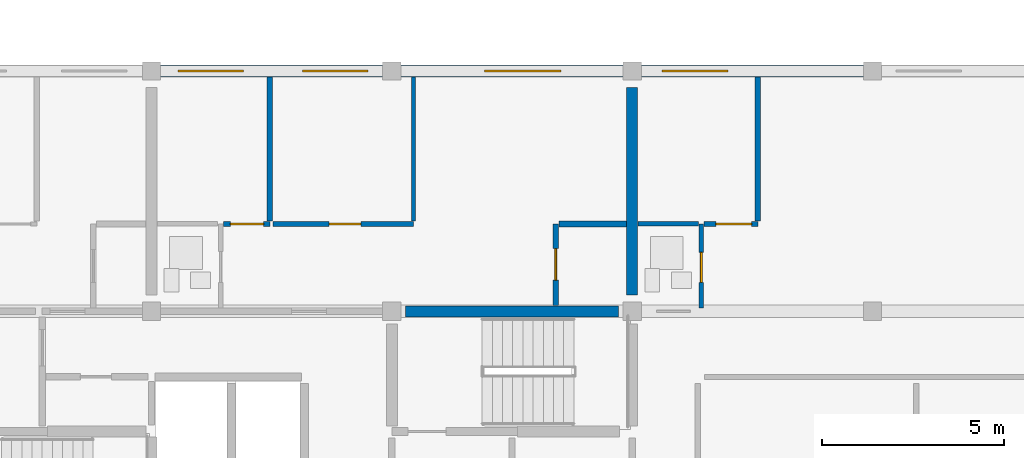
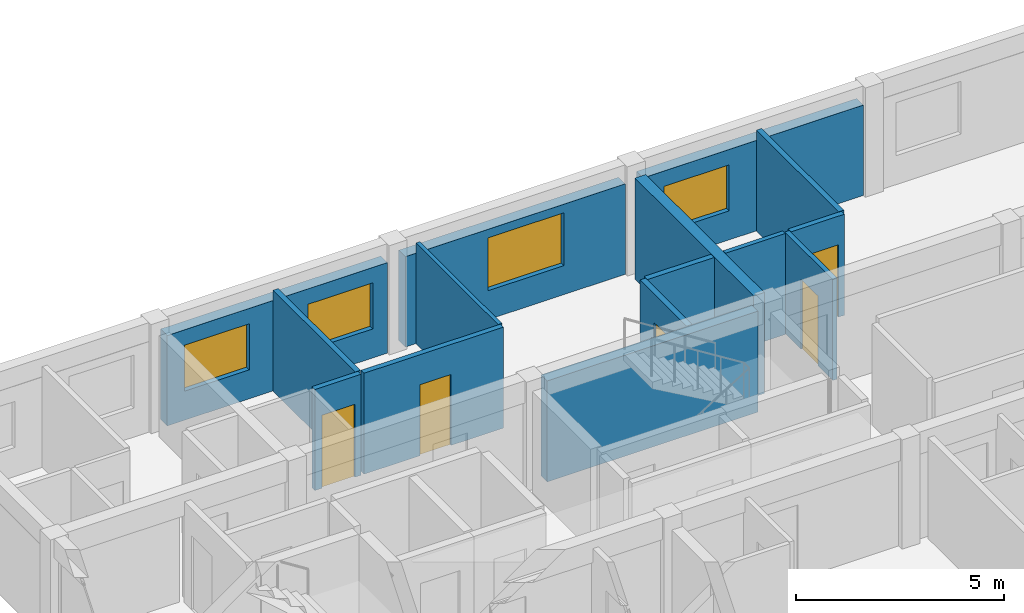
# One storey, part 39 of 53: 15 walls, 5 doors, 4 windows, 9 openings.
"""IFC4 building model written with IfcOpenShell, lengths in metres."""

from ifc_helpers import new_model, si_unit, direction, frame, frame_2d, origin, place, context, subcontext, project, spatial, rectangle, extrude, material, layer, layer_set, type_object, element, fill, save


model = new_model("IFC4")

# Units and contexts
model_context = context("Model", 3, precision=1e-05, world=origin(), true_north=direction((0.0, 1.0)))
body_context = subcontext(model_context, "Body", "Model", "MODEL_VIEW")
ifc_project = project(units=[si_unit("LENGTHUNIT", "METRE"), si_unit("AREAUNIT", "SQUARE_METRE"), si_unit("VOLUMEUNIT", "CUBIC_METRE"), si_unit("PLANEANGLEUNIT", "RADIAN"), si_unit("MASSUNIT", "GRAM", prefix="KILO")], contexts=[model_context])

# Site, building, storey
site_placement = place(None, origin())
site = spatial("IfcSite", under=ifc_project, at=site_placement, CompositionType="ELEMENT")
building_placement = place(site_placement, origin())
building = spatial("IfcBuilding", under=site, at=building_placement, Name="Kernevlak Ridge Housing Community", CompositionType="ELEMENT")
storey_placement = place(building_placement, frame((0.0, 0.0, 18.0)))
storey = spatial("IfcBuildingStorey", under=building, at=storey_placement, Name="L05", CompositionType="ELEMENT", Elevation=18.0)

# Wall, openings, windows
ifc_material_1 = material(Name="Concrete block masonry M10", Category="masonry")
ifc_layer_1 = layer(ifc_material_1, 0.320068359375, Name="Concrete block masonry M10")
ifc_layer_set_1 = layer_set([ifc_layer_1], Name="Concrete block masonry M10")
wall_type_1 = type_object("IfcWallType", Name="EW-02", PredefinedType="STANDARD", material=ifc_layer_set_1)
wall_1_placement = place(storey_placement, frame((126.25, 102.39990234375, 0.0), z_axis=(0.0, 0.0, 1.0), x_axis=(1.0, 0.0, 0.0)))
wall_1 = element("IfcWall", 1, at=wall_1_placement, inside=storey, type_object=wall_type_1, Name="Exterior wall EW-02 L05 377", PredefinedType="STANDARD", context=body_context, shape_type="SweptSolid", body=[
    extrude(rectangle(XDim=6.10009765625, YDim=0.320068359375, at=frame_2d((3.050048828125, 0.0))), origin(), (0.0, 0.0, 1.0), 2.64990234375),
])
opening_1_placement = place(wall_1_placement, frame((0.47509765625, 0.0, 0.85009765625)))
opening_1 = element("IfcOpeningElement", 2, at=opening_1_placement, cuts=wall_1, Name="Opening WT-03", PredefinedType="OPENING", context=body_context, shape_type="SweptSolid", body=[
    extrude(rectangle(XDim=1.800048828125, YDim=1.35009765625, at=frame_2d((0.89990234375, 0.675048828125))), frame((0.0, 0.169921875, 0.0), z_axis=(0.0, -1.0, 0.0), x_axis=(1.0, 0.0, 0.0)), (0.0, 0.0, 1.0), 0.340087890625),
])
opening_2_placement = place(wall_1_placement, frame((3.89990234375, 0.0, 0.85009765625)))
opening_2 = element("IfcOpeningElement", 3, at=opening_2_placement, cuts=wall_1, Name="Opening WT-03", PredefinedType="OPENING", context=body_context, shape_type="SweptSolid", body=[
    extrude(rectangle(XDim=1.800048828125, YDim=1.35009765625, at=frame_2d((0.89990234375, 0.675048828125))), frame((0.0, 0.169921875, 0.0), z_axis=(0.0, -1.0, 0.0), x_axis=(1.0, 0.0, 0.0)), (0.0, 0.0, 1.0), 0.340087890625),
])
ifc_material_2 = material(Name="Aluminium EN AW-6060 anodised and laminated glass", Category="aluminium")
window_type_1 = type_object("IfcWindowType", Name="WT-03", PartitioningType="SINGLE_PANEL", PredefinedType="WINDOW", material=ifc_material_2)
window_1_placement = place(opening_1_placement, origin())
window_1 = element("IfcWindow", 4, at=window_1_placement, inside=storey, type_object=window_type_1, Name="Window WT-03 L05 291", OverallHeight=1.35009765625, OverallWidth=1.800048828125, PartitioningType="SINGLE_PANEL", PredefinedType="WINDOW", context=body_context, shape_type="SweptSolid", body=[
    extrude(rectangle(XDim=1.800048828125, YDim=1.35009765625, at=frame_2d((0.89990234375, 0.675048828125))), frame((0.0, 0.030029296875, 0.0), z_axis=(0.0, -1.0, 0.0), x_axis=(1.0, 0.0, 0.0)), (0.0, 0.0, 1.0), 0.06005859375),
])
fill(opening_1, window_1)
window_2_placement = place(opening_2_placement, origin())
window_2 = element("IfcWindow", 5, at=window_2_placement, inside=storey, type_object=window_type_1, Name="Window WT-03 L05 292", OverallHeight=1.35009765625, OverallWidth=1.800048828125, PartitioningType="SINGLE_PANEL", PredefinedType="WINDOW", context=body_context, shape_type="SweptSolid", body=[
    extrude(rectangle(XDim=1.800048828125, YDim=1.35009765625, at=frame_2d((0.89990234375, 0.675048828125))), frame((0.0, 0.030029296875, 0.0), z_axis=(0.0, -1.0, 0.0), x_axis=(1.0, 0.0, 0.0)), (0.0, 0.0, 1.0), 0.06005859375),
])
fill(opening_2, window_2)

# Wall, opening, window
wall_2_placement = place(storey_placement, frame((132.85009765625, 102.39990234375, 0.0), z_axis=(0.0, 0.0, 1.0), x_axis=(1.0, 0.0, 0.0)))
wall_2 = element("IfcWall", 6, at=wall_2_placement, inside=storey, type_object=wall_type_1, Name="Exterior wall EW-02 L05 378", PredefinedType="STANDARD", context=body_context, shape_type="SweptSolid", body=[
    extrude(rectangle(XDim=6.099853515625, YDim=0.320068359375, at=frame_2d((3.0498046875, 0.0))), origin(), (0.0, 0.0, 1.0), 2.64990234375),
])
opening_3_placement = place(wall_2_placement, frame((2.2958984375, 0.0, 0.85009765625)))
opening_3 = element("IfcOpeningElement", 7, at=opening_3_placement, cuts=wall_2, Name="Opening WT-05", PredefinedType="OPENING", context=body_context, shape_type="SweptSolid", body=[
    extrude(rectangle(XDim=2.10009765625, YDim=1.550048828125, at=frame_2d((1.050048828125, 0.77490234375))), frame((0.0, 0.169921875, 0.0), z_axis=(0.0, -1.0, 0.0), x_axis=(1.0, 0.0, 0.0)), (0.0, 0.0, 1.0), 0.340087890625),
])
window_type_2 = type_object("IfcWindowType", Name="WT-05", PartitioningType="SINGLE_PANEL", PredefinedType="WINDOW", material=ifc_material_2)
window_3_placement = place(opening_3_placement, origin())
window_3 = element("IfcWindow", 8, at=window_3_placement, inside=storey, type_object=window_type_2, Name="Window WT-05 L05 293", OverallHeight=1.550048828125, OverallWidth=2.10009765625, PartitioningType="SINGLE_PANEL", PredefinedType="WINDOW", context=body_context, shape_type="SweptSolid", body=[
    extrude(rectangle(XDim=2.10009765625, YDim=1.550048828125, at=frame_2d((1.050048828125, 0.77490234375))), frame((0.0, 0.030029296875, 0.0), z_axis=(0.0, -1.0, 0.0), x_axis=(1.0, 0.0, 0.0)), (0.0, 0.0, 1.0), 0.06005859375),
])
fill(opening_3, window_3)

wall_3_placement = place(storey_placement, frame((139.449951171875, 102.39990234375, 0.0), z_axis=(0.0, 0.0, 1.0), x_axis=(1.0, 0.0, 0.0)))
wall_3 = element("IfcWall", 9, at=wall_3_placement, inside=storey, type_object=wall_type_1, Name="Exterior wall EW-02 L05 379", PredefinedType="STANDARD", context=body_context, shape_type="SweptSolid", body=[
    extrude(rectangle(XDim=6.10009765625, YDim=0.320068359375, at=frame_2d((3.050048828125, 0.0))), origin(), (0.0, 0.0, 1.0), 2.64990234375),
])
opening_4_placement = place(wall_3_placement, frame((0.574951171875, 0.0, 0.85009765625)))
opening_4 = element("IfcOpeningElement", 10, at=opening_4_placement, cuts=wall_3, Name="Opening WT-03", PredefinedType="OPENING", context=body_context, shape_type="SweptSolid", body=[
    extrude(rectangle(XDim=1.800048828125, YDim=1.35009765625, at=frame_2d((0.89990234375, 0.675048828125))), frame((0.0, 0.169921875, 0.0), z_axis=(0.0, -1.0, 0.0), x_axis=(1.0, 0.0, 0.0)), (0.0, 0.0, 1.0), 0.340087890625),
])
window_4_placement = place(opening_4_placement, origin())
window_4 = element("IfcWindow", 11, at=window_4_placement, inside=storey, type_object=window_type_1, Name="Window WT-03 L05 294", OverallHeight=1.35009765625, OverallWidth=1.800048828125, PartitioningType="SINGLE_PANEL", PredefinedType="WINDOW", context=body_context, shape_type="SweptSolid", body=[
    extrude(rectangle(XDim=1.800048828125, YDim=1.35009765625, at=frame_2d((0.89990234375, 0.675048828125))), frame((0.0, 0.030029296875, 0.0), z_axis=(0.0, -1.0, 0.0), x_axis=(1.0, 0.0, 0.0)), (0.0, 0.0, 1.0), 0.06005859375),
])
fill(opening_4, window_4)

# Wall, opening, door
ifc_layer_2 = layer(ifc_material_1, 0.14501953125, Name="Concrete block masonry M10")
ifc_layer_set_2 = layer_set([ifc_layer_2], Name="Concrete block masonry M10")
wall_type_2 = type_object("IfcWallType", Name="PW-03", PredefinedType="PARTITIONING", material=ifc_layer_set_2)
wall_4_placement = place(storey_placement, frame((127.972412109375, 98.199951171875, 0.0), z_axis=(0.0, 0.0, 1.0), x_axis=(1.0, 0.0, 0.0)))
wall_4 = element("IfcWall", 12, at=wall_4_placement, inside=storey, type_object=wall_type_2, Name="Interior wall PW-03 WAL-INT-L05-1498", PredefinedType="PARTITIONING", context=body_context, shape_type="SweptSolid", body=[
    extrude(rectangle(XDim=1.277587890625, YDim=0.14501953125, at=frame_2d((0.638671875, 0.0))), origin(), (0.0, 0.0, 1.0), 2.9599609375),
])
opening_5_placement = place(wall_4_placement, frame((0.197509765625, 0.0, 0.0)))
opening_5 = element("IfcOpeningElement", 13, at=opening_5_placement, cuts=wall_4, Name="Opening D758", PredefinedType="OPENING", context=body_context, shape_type="SweptSolid", body=[
    extrude(rectangle(XDim=0.909912109375, YDim=2.139892578125, at=frame_2d((0.455078125, 1.06982421875))), frame((0.0, 0.08251953125, 0.0), z_axis=(0.0, -1.0, 0.0), x_axis=(1.0, 0.0, 0.0)), (0.0, 0.0, 1.0), 0.1650390625),
])
ifc_material_3 = material(Name="Hardwood timber leaf", Category="wood")
door_type_1 = type_object("IfcDoorType", Name="DT-31", OperationType="NOTDEFINED", PredefinedType="DOOR", material=ifc_material_3)
door_1_placement = place(opening_5_placement, origin())
door_1 = element("IfcDoor", 14, at=door_1_placement, inside=storey, type_object=door_type_1, Name="Flat B0522 bedroom door D758", OperationType="SINGLE_SWING_RIGHT", OverallHeight=2.139892578125, OverallWidth=0.909912109375, PredefinedType="DOOR", context=body_context, shape_type="SweptSolid", body=[
    extrude(rectangle(XDim=0.909912109375, YDim=2.139892578125, at=frame_2d((0.455078125, 1.06982421875))), frame((0.0, 0.02490234375, 0.0), z_axis=(0.0, -1.0, 0.0), x_axis=(1.0, 0.0, 0.0)), (0.0, 0.0, 1.0), 0.050048828125),
])
fill(opening_5, door_1)

# Wall
wall_5_placement = place(storey_placement, frame((129.25, 98.282470703125, 0.0), z_axis=(0.0, 0.0, 1.0), x_axis=(0.0, 1.0, 0.0)))
element("IfcWall", 15, at=wall_5_placement, inside=storey, type_object=wall_type_2, Name="Interior wall PW-03 WAL-INT-L05-1499", PredefinedType="PARTITIONING", context=body_context, shape_type="SweptSolid", body=[
    extrude(rectangle(XDim=3.947509765625, YDim=0.14501953125, at=frame_2d((1.9736328125, 0.0))), origin(), (0.0, 0.0, 1.0), 2.9599609375),
])

# Wall, opening, door
wall_6_placement = place(storey_placement, frame((129.33251953125, 98.199951171875, 0.0), z_axis=(0.0, 0.0, 1.0), x_axis=(1.0, 0.0, 0.0)))
wall_6 = element("IfcWall", 16, at=wall_6_placement, inside=storey, type_object=wall_type_2, Name="Interior wall PW-03 WAL-INT-L05-1500", PredefinedType="PARTITIONING", context=body_context, shape_type="SweptSolid", body=[
    extrude(rectangle(XDim=3.859375, YDim=0.14501953125, at=frame_2d((1.9296875, 0.0))), origin(), (0.0, 0.0, 1.0), 2.9599609375),
])
opening_6_placement = place(wall_6_placement, frame((1.5458984375, 0.0, 0.0)))
opening_6 = element("IfcOpeningElement", 17, at=opening_6_placement, cuts=wall_6, Name="Opening D759", PredefinedType="OPENING", context=body_context, shape_type="SweptSolid", body=[
    extrude(rectangle(XDim=0.8701171875, YDim=2.080078125, at=frame_2d((0.43505859375, 1.0400390625))), frame((0.0, 0.08251953125, 0.0), z_axis=(0.0, -1.0, 0.0), x_axis=(1.0, 0.0, 0.0)), (0.0, 0.0, 1.0), 0.1650390625),
])
door_type_2 = type_object("IfcDoorType", Name="DT-32", OperationType="NOTDEFINED", PredefinedType="DOOR", material=ifc_material_3)
door_2_placement = place(opening_6_placement, origin())
door_2 = element("IfcDoor", 18, at=door_2_placement, inside=storey, type_object=door_type_2, Name="Flat B0522 bedroom door D759", OperationType="SINGLE_SWING_LEFT", OverallHeight=2.080078125, OverallWidth=0.8701171875, PredefinedType="DOOR", context=body_context, shape_type="SweptSolid", body=[
    extrude(rectangle(XDim=0.8701171875, YDim=2.080078125, at=frame_2d((0.43505859375, 1.0400390625))), frame((0.0, 0.02490234375, 0.0), z_axis=(0.0, -1.0, 0.0), x_axis=(1.0, 0.0, 0.0)), (0.0, 0.0, 1.0), 0.050048828125),
])
fill(opening_6, door_2)

wall_7_placement = place(storey_placement, frame((141.172607421875, 98.199951171875, 0.0), z_axis=(0.0, 0.0, 1.0), x_axis=(1.0, 0.0, 0.0)))
wall_7 = element("IfcWall", 19, at=wall_7_placement, inside=storey, type_object=wall_type_2, Name="Interior wall PW-03 WAL-INT-L05-1507", PredefinedType="PARTITIONING", context=body_context, shape_type="SweptSolid", body=[
    extrude(rectangle(XDim=1.477294921875, YDim=0.14501953125, at=frame_2d((0.73876953125, 0.0))), origin(), (0.0, 0.0, 1.0), 2.9599609375),
])
opening_7_placement = place(wall_7_placement, frame((0.327392578125, 0.0, 0.0)))
opening_7 = element("IfcOpeningElement", 20, at=opening_7_placement, cuts=wall_7, Name="Opening D763", PredefinedType="OPENING", context=body_context, shape_type="SweptSolid", body=[
    extrude(rectangle(XDim=0.97998046875, YDim=2.1201171875, at=frame_2d((0.489990234375, 1.06005859375))), frame((0.0, 0.08251953125, 0.0), z_axis=(0.0, -1.0, 0.0), x_axis=(1.0, 0.0, 0.0)), (0.0, 0.0, 1.0), 0.1650390625),
])
door_type_3 = type_object("IfcDoorType", Name="DT-24", OperationType="NOTDEFINED", PredefinedType="DOOR", material=ifc_material_3)
door_3_placement = place(opening_7_placement, origin())
door_3 = element("IfcDoor", 21, at=door_3_placement, inside=storey, type_object=door_type_3, Name="Flat B0523 bedroom door D763", OperationType="SINGLE_SWING_LEFT", OverallHeight=2.1201171875, OverallWidth=0.97998046875, PredefinedType="DOOR", context=body_context, shape_type="SweptSolid", body=[
    extrude(rectangle(XDim=0.97998046875, YDim=2.1201171875, at=frame_2d((0.489990234375, 1.06005859375))), frame((0.0, 0.02490234375, 0.0), z_axis=(0.0, -1.0, 0.0), x_axis=(1.0, 0.0, 0.0)), (0.0, 0.0, 1.0), 0.050048828125),
])
fill(opening_7, door_3)

# Wall
wall_8_placement = place(storey_placement, frame((142.64990234375, 98.282470703125, 0.0), z_axis=(0.0, 0.0, 1.0), x_axis=(0.0, 1.0, 0.0)))
element("IfcWall", 22, at=wall_8_placement, inside=storey, type_object=wall_type_2, Name="Interior wall PW-03 WAL-INT-L05-1508", PredefinedType="PARTITIONING", context=body_context, shape_type="SweptSolid", body=[
    extrude(rectangle(XDim=3.947509765625, YDim=0.14501953125, at=frame_2d((1.9736328125, 0.0))), origin(), (0.0, 0.0, 1.0), 2.9599609375),
])

# Wall, opening, door
ifc_material_4 = material(Name="Gypsum plasterboard EN 520", Category="gypsum")
ifc_layer_3 = layer(ifc_material_4, 0.125, Name="Gypsum plasterboard EN 520")
ifc_layer_set_3 = layer_set([ifc_layer_3], Name="Gypsum plasterboard EN 520")
wall_type_3 = type_object("IfcWallType", Name="PW-04", PredefinedType="PARTITIONING", material=ifc_layer_set_3)
wall_9_placement = place(storey_placement, frame((141.10009765625, 95.8974609375, 0.0), z_axis=(0.0, 0.0, 1.0), x_axis=(0.0, 1.0, 0.0)))
wall_9 = element("IfcWall", 23, at=wall_9_placement, inside=storey, type_object=wall_type_3, Name="Interior wall PW-04 WAL-INT-L05-1503", PredefinedType="PARTITIONING", context=body_context, shape_type="SweptSolid", body=[
    extrude(rectangle(XDim=2.302490234375, YDim=0.125, at=frame_2d((1.1513671875, 0.0))), origin(), (0.0, 0.0, 1.0), 2.9599609375),
])
opening_8_placement = place(wall_9_placement, frame((0.699951171875, 0.0, 0.0)))
opening_8 = element("IfcOpeningElement", 24, at=opening_8_placement, cuts=wall_9, Name="Opening D761", PredefinedType="OPENING", context=body_context, shape_type="SweptSolid", body=[
    extrude(rectangle(XDim=0.820068359375, YDim=2.050048828125, at=frame_2d((0.41015625, 1.02490234375))), frame((0.0, 0.072509765625, 0.0), z_axis=(0.0, -1.0, 0.0), x_axis=(1.0, 0.0, 0.0)), (0.0, 0.0, 1.0), 0.14501953125),
])
ifc_material_5 = material(Name="Hardwood timber moisture-resistant leaf", Category="wood")
door_type_4 = type_object("IfcDoorType", Name="DT-30", OperationType="NOTDEFINED", PredefinedType="DOOR", material=ifc_material_5)
door_4_placement = place(opening_8_placement, origin())
door_4 = element("IfcDoor", 25, at=door_4_placement, inside=storey, type_object=door_type_4, Name="Flat B0523 bathroom door D761", OperationType="SINGLE_SWING_LEFT", OverallHeight=2.050048828125, OverallWidth=0.820068359375, PredefinedType="DOOR", context=body_context, shape_type="SweptSolid", body=[
    extrude(rectangle(XDim=0.820068359375, YDim=2.050048828125, at=frame_2d((0.41015625, 1.02490234375))), frame((0.0, 0.02490234375, 0.0), z_axis=(0.0, -1.0, 0.0), x_axis=(1.0, 0.0, 0.0)), (0.0, 0.0, 1.0), 0.050048828125),
])
fill(opening_8, door_4)

# Wall
wall_10_placement = place(storey_placement, frame((139.360107421875, 98.199951171875, 0.0), z_axis=(0.0, 0.0, 1.0), x_axis=(1.0, 0.0, 0.0)))
element("IfcWall", 26, at=wall_10_placement, inside=storey, type_object=wall_type_3, Name="Interior wall PW-04 WAL-INT-L05-1504", PredefinedType="PARTITIONING", context=body_context, shape_type="SweptSolid", body=[
    extrude(rectangle(XDim=1.659912109375, YDim=0.125, at=frame_2d((0.830078125, 0.0))), origin(), (0.0, 0.0, 1.0), 2.9599609375),
])

# Wall, opening, door
ifc_layer_4 = layer(ifc_material_4, 0.155029296875, Name="Gypsum plasterboard EN 520")
ifc_layer_set_4 = layer_set([ifc_layer_4], Name="Gypsum plasterboard EN 520")
wall_type_4 = type_object("IfcWallType", Name="PW-05", PredefinedType="PARTITIONING", material=ifc_layer_set_4)
wall_11_placement = place(storey_placement, frame((137.10009765625, 95.9599609375, 0.0), z_axis=(0.0, 0.0, 1.0), x_axis=(0.0, 1.0, 0.0)))
wall_11 = element("IfcWall", 27, at=wall_11_placement, inside=storey, type_object=wall_type_4, Name="Interior wall PW-05 WAL-INT-L05-1496", PredefinedType="PARTITIONING", context=body_context, shape_type="SweptSolid", body=[
    extrude(rectangle(XDim=2.239990234375, YDim=0.155029296875, at=frame_2d((1.1201171875, 0.0))), origin(), (0.0, 0.0, 1.0), 2.9599609375),
])
opening_9_placement = place(wall_11_placement, frame((0.699951171875, 0.0, 0.0)))
opening_9 = element("IfcOpeningElement", 28, at=opening_9_placement, cuts=wall_11, Name="Opening D757", PredefinedType="OPENING", context=body_context, shape_type="SweptSolid", body=[
    extrude(rectangle(XDim=0.860107421875, YDim=2.1201171875, at=frame_2d((0.43017578125, 1.06005859375))), frame((0.0, 0.08740234375, 0.0), z_axis=(0.0, -1.0, 0.0), x_axis=(1.0, 0.0, 0.0)), (0.0, 0.0, 1.0), 0.175048828125),
])
door_type_5 = type_object("IfcDoorType", Name="DT-28", OperationType="NOTDEFINED", PredefinedType="DOOR", material=ifc_material_3)
door_5_placement = place(opening_9_placement, origin())
door_5 = element("IfcDoor", 29, at=door_5_placement, inside=storey, type_object=door_type_5, Name="Flat B0522 kitchen door D757", OperationType="SINGLE_SWING_LEFT", OverallHeight=2.1201171875, OverallWidth=0.860107421875, PredefinedType="DOOR", context=body_context, shape_type="SweptSolid", body=[
    extrude(rectangle(XDim=0.860107421875, YDim=2.1201171875, at=frame_2d((0.43017578125, 1.06005859375))), frame((0.0, 0.02490234375, 0.0), z_axis=(0.0, -1.0, 0.0), x_axis=(1.0, 0.0, 0.0)), (0.0, 0.0, 1.0), 0.050048828125),
])
fill(opening_9, door_5)

# Walls
wall_12_placement = place(storey_placement, frame((137.1875, 98.199951171875, 0.0), z_axis=(0.0, 0.0, 1.0), x_axis=(1.0, 0.0, 0.0)))
element("IfcWall", 30, at=wall_12_placement, inside=storey, type_object=wall_type_4, Name="Interior wall PW-05 WAL-INT-L05-1497", PredefinedType="PARTITIONING", context=body_context, shape_type="SweptSolid", body=[
    extrude(rectangle(XDim=1.8525390625, YDim=0.155029296875, at=frame_2d((0.92626953125, 0.0))), origin(), (0.0, 0.0, 1.0), 2.9599609375),
])
ifc_layer_5 = layer(ifc_material_4, 0.10498046875, Name="Gypsum plasterboard EN 520")
ifc_layer_set_5 = layer_set([ifc_layer_5], Name="Gypsum plasterboard EN 520")
wall_type_5 = type_object("IfcWallType", Name="PW-06", PredefinedType="PARTITIONING", material=ifc_layer_set_5)
wall_13_placement = place(storey_placement, frame((133.19189453125, 98.282470703125, 0.0), z_axis=(0.0, 0.0, 1.0), x_axis=(0.0, 1.0, 0.0)))
element("IfcWall", 31, at=wall_13_placement, inside=storey, type_object=wall_type_5, Name="Interior wall PW-06 WAL-INT-L05-1501", PredefinedType="PARTITIONING", context=body_context, shape_type="SweptSolid", body=[
    extrude(rectangle(XDim=3.947509765625, YDim=0.10498046875, at=frame_2d((1.9736328125, 0.0))), origin(), (0.0, 0.0, 1.0), 2.9599609375),
])
ifc_material_6 = material(Name="Concrete C40/50", Category="concrete")
ifc_layer_6 = layer(ifc_material_6, 0.300048828125, Name="Concrete C40/50")
ifc_layer_set_6 = layer_set([ifc_layer_6], Name="Concrete C40/50")
wall_type_6 = type_object("IfcWallType", Name="SW-02", PredefinedType="SHEAR", material=ifc_layer_set_6)
wall_14_placement = place(storey_placement, frame((132.97998046875, 95.800048828125, 0.0), z_axis=(0.0, 0.0, 1.0), x_axis=(1.0, 0.0, 0.0)))
element("IfcWall", 32, at=wall_14_placement, inside=storey, type_object=wall_type_6, Name="Shear wall SW-02 Block B L05 264", PredefinedType="SHEAR", context=body_context, shape_type="SweptSolid", body=[
    extrude(rectangle(XDim=5.840087890625, YDim=0.300048828125, at=frame_2d((2.919921875, 0.0))), origin(), (0.0, 0.0, 1.0), 2.9599609375),
])
wall_15_placement = place(storey_placement, frame((139.199951171875, 96.25, 0.0), z_axis=(0.0, 0.0, 1.0), x_axis=(0.0, 1.0, 0.0)))
element("IfcWall", 33, at=wall_15_placement, inside=storey, type_object=wall_type_6, Name="Shear wall SW-02 Block B L05 270", PredefinedType="SHEAR", context=body_context, shape_type="SweptSolid", body=[
    extrude(rectangle(XDim=5.699951171875, YDim=0.300048828125, at=frame_2d((2.85009765625, 0.0))), origin(), (0.0, 0.0, 1.0), 2.9599609375),
])

save(model, "model.ifc")
